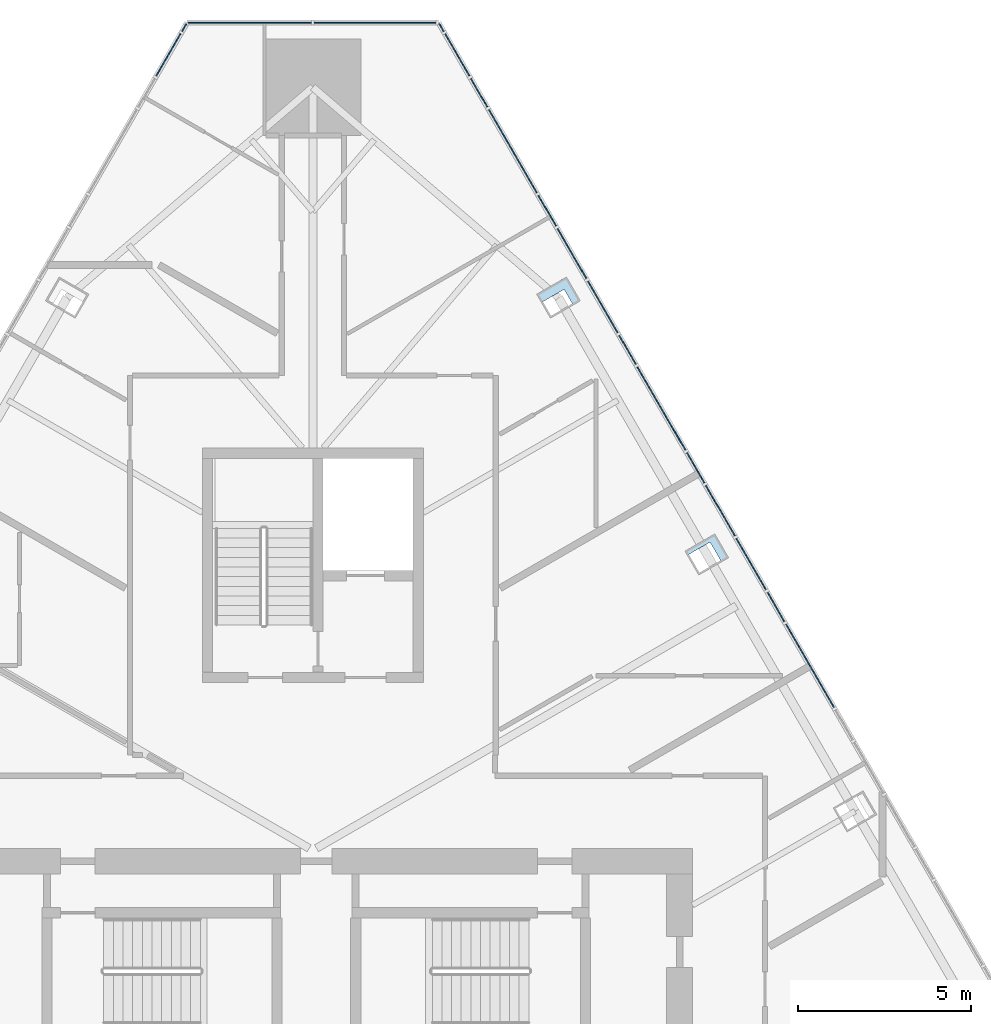
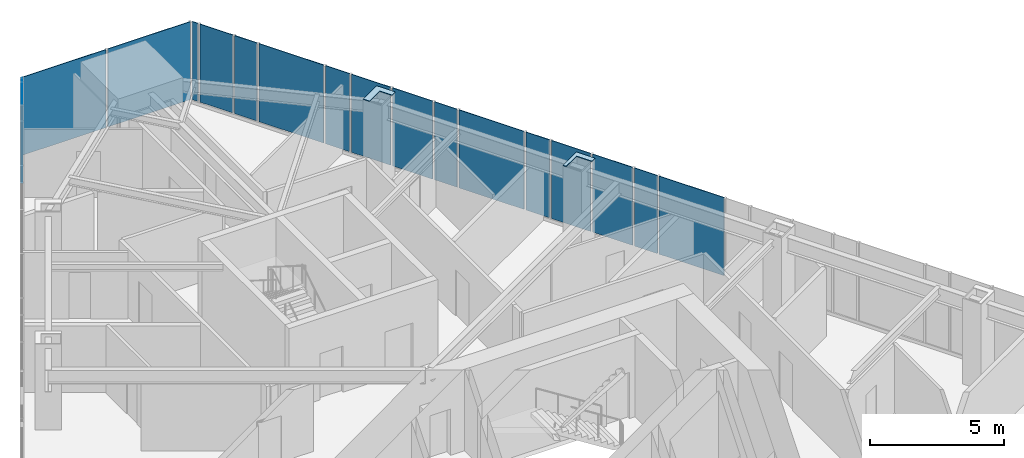
# One storey, part 17 of 24: 20 plates, 3 elements without a shape of their own.
"""IFC4 building model written with IfcOpenShell, lengths in metres."""

from ifc_helpers import new_model, si_unit, direction, frame, origin, place, context, subcontext, project, spatial, polyline, outline, extrude, material, layer, layer_set, type_object, element, aggregate, save


model = new_model("IFC4")

# Units and contexts
model_context = context("Model", 3, precision=1e-05, world=origin(), true_north=direction((0.0, 1.0)))
body_context = subcontext(model_context, "Body", "Model", "MODEL_VIEW")
ifc_project = project(units=[si_unit("LENGTHUNIT", "METRE"), si_unit("AREAUNIT", "SQUARE_METRE"), si_unit("VOLUMEUNIT", "CUBIC_METRE"), si_unit("PLANEANGLEUNIT", "RADIAN"), si_unit("MASSUNIT", "GRAM", prefix="KILO")], contexts=[model_context])

# Site, building, storey
site_placement = place(None, origin())
site = spatial("IfcSite", under=ifc_project, at=site_placement, CompositionType="ELEMENT")
building_placement = place(site_placement, origin())
building = spatial("IfcBuilding", under=site, at=building_placement, Name="Firuza Gate Tower and Library", CompositionType="ELEMENT")
storey_placement = place(building_placement, frame((0.0, 0.0, 206.5)))
storey = spatial("IfcBuildingStorey", under=building, at=storey_placement, Name="L48", CompositionType="ELEMENT", Elevation=206.5)

# Plates
ifc_material_1 = material(Name="Steel S355", Category="steel")
ifc_layer_1 = layer(ifc_material_1, 0.030029296875)
ifc_layer_set_1 = layer_set([ifc_layer_1], Name="Column infill plate 30 Steel S355")
plate_type_1 = type_object("IfcPlateType", Name="Column infill plate 30 Steel S355", PredefinedType="SHEET", material=ifc_layer_set_1)
placement_1 = place(storey_placement, frame((0.0, 0.0, 3.89990234375)))
element("IfcPlate", 1, at=placement_1, inside=storey, type_object=plate_type_1, Name="Infill plate L48:E4", PredefinedType="SHEET", context=body_context, shape_type="SweptSolid", body=[
    extrude(outline(polyline([(85.78125, 91.609619140625), (85.850341796875, 91.489990234375), (86.50927734375, 91.87060546875), (86.84033203125, 91.29736328125), (87.04736328125, 91.416748046875), (86.647216796875, 92.109619140625), (85.78125, 91.609619140625)])), origin(), (0.0, 0.0, 1.0), 0.030029296875),
])
element("IfcPlate", 2, at=placement_1, inside=storey, type_object=plate_type_1, Name="Infill plate L48:E5", PredefinedType="SHEET", context=body_context, shape_type="SweptSolid", body=[
    extrude(outline(polyline([(81.484375, 99.052001953125), (81.62255859375, 98.81298828125), (82.281494140625, 99.193359375), (82.54345703125, 98.73974609375), (82.75048828125, 98.859130859375), (82.350341796875, 99.552001953125), (81.484375, 99.052001953125)])), origin(), (0.0, 0.0, 1.0), 0.030029296875),
])

# Curtain wall, plates
ifc_material_2 = material(Name="Aluminium 6063-T6", Category="aluminium")
ifc_layer_2 = layer(ifc_material_2, 0.14990234375)
ifc_layer_set_2 = layer_set([ifc_layer_2], Name="Corner curtain wall, chamfers")
curtain_wall_type_1 = type_object("IfcCurtainWallType", Name="Corner curtain wall, chamfers", PredefinedType="NOTDEFINED", material=ifc_layer_set_2)
placement_2 = place(storey_placement, origin())
curtain_wall_1 = element("IfcCurtainWall", 3, at=placement_2, inside=storey, type_object=curtain_wall_type_1, Name="CW4 L48 N corner", PredefinedType="NOTDEFINED")
ifc_material_3 = material(Name="Fritted glass", Category="glass")
ifc_layer_3 = layer(ifc_material_3, 0.030029296875)
ifc_layer_set_3 = layer_set([ifc_layer_3], Name="Fritted glass unit, corners")
plate_type_2 = type_object("IfcPlateType", Name="Fritted glass unit, corners", PredefinedType="CURTAIN_PANEL", material=ifc_layer_set_3)
plate_3_placement = place(storey_placement, frame((78.603271484375, 106.93798828125, 0.14990234375), z_axis=(0.0, 1.0, 0.0), x_axis=(-1.0, 0.0, 0.0)))
plate_3 = element("IfcPlate", 4, at=plate_3_placement, type_object=plate_type_2, Name="Glass unit", PredefinedType="CURTAIN_PANEL", context=body_context, shape_type="SweptSolid", body=[
    extrude(outline(polyline([(0.0, 0.0), (3.563232421875, 0.0), (3.563232421875, 3.550048828125), (0.0, 3.550048828125), (0.0, 0.0)])), origin(), (0.0, 0.0, -1.0), 0.030029296875),
])
plate_4_placement = place(storey_placement, frame((74.9599609375, 106.93798828125, 0.14990234375), z_axis=(0.0, 1.0, 0.0), x_axis=(-1.0, 0.0, 0.0)))
plate_4 = element("IfcPlate", 5, at=plate_4_placement, type_object=plate_type_2, Name="Glass unit", PredefinedType="CURTAIN_PANEL", context=body_context, shape_type="SweptSolid", body=[
    extrude(outline(polyline([(0.0, 0.0), (3.563232421875, 0.0), (3.563232421875, 3.550048828125), (0.0, 3.550048828125), (0.0, 0.0)])), origin(), (0.0, 0.0, -1.0), 0.030029296875),
])
aggregate(curtain_wall_1, [plate_3, plate_4])

ifc_material_4 = material(Name="Aluminium 6063-T6", Category="aluminium")
ifc_layer_4 = layer(ifc_material_4, 0.14990234375)
ifc_layer_set_4 = layer_set([ifc_layer_4], Name="Unitised curtain wall, hotel")
curtain_wall_type_2 = type_object("IfcCurtainWallType", Name="Unitised curtain wall, hotel", PredefinedType="NOTDEFINED", material=ifc_layer_set_4)
curtain_wall_2 = element("IfcCurtainWall", 6, at=placement_2, inside=storey, type_object=curtain_wall_type_2, Name="CW2 L48 E face", PredefinedType="NOTDEFINED")
ifc_material_5 = material(Name="Fritted glass", Category="glass")
ifc_layer_5 = layer(ifc_material_5, 0.030029296875)
ifc_layer_set_5 = layer_set([ifc_layer_5], Name="Fritted glass unit, hotel")
plate_type_3 = type_object("IfcPlateType", Name="Fritted glass unit, hotel", PredefinedType="CURTAIN_PANEL", material=ifc_layer_set_5)
plate_5_placement = place(storey_placement, frame((88.14501953125, 90.495849609375, 0.14990234375), z_axis=(0.86597293925, 0.500090860232, 0.0), x_axis=(-0.500090860232, 0.86597293925, 0.0)))
plate_5 = element("IfcPlate", 7, at=plate_5_placement, type_object=plate_type_3, Name="Glass unit", PredefinedType="CURTAIN_PANEL", context=body_context, shape_type="SweptSolid", body=[
    extrude(outline(polyline([(0.0, 0.0), (1.7208786873771358, 0.0), (1.7208786873771358, 3.550048828125), (0.0, 3.550048828125), (0.0, 0.0)])), origin(), (0.0, 0.0, -1.0), 0.030029296875),
])
plate_6_placement = place(storey_placement, frame((87.244384765625, 92.055419921875, 0.14990234375), z_axis=(0.866041418028, 0.499972261491, 0.0), x_axis=(-0.499972261491, 0.866041418028, 0.0)))
plate_6 = element("IfcPlate", 8, at=plate_6_placement, type_object=plate_type_3, Name="Glass unit", PredefinedType="CURTAIN_PANEL", context=body_context, shape_type="SweptSolid", body=[
    extrude(outline(polyline([(0.0, 0.0), (1.6919883977219423, 0.0), (1.6919883977219423, 3.550048828125), (0.0, 3.550048828125), (0.0, 0.0)])), origin(), (0.0, 0.0, -1.0), 0.030029296875),
])
plate_7_placement = place(storey_placement, frame((83.84814453125, 97.938232421875, 0.14990234375), z_axis=(0.866000478986, 0.500043168532, 0.0), x_axis=(-0.500043168532, 0.866000478986, 0.0)))
plate_7 = element("IfcPlate", 9, at=plate_7_placement, type_object=plate_type_3, Name="Glass unit", PredefinedType="CURTAIN_PANEL", context=body_context, shape_type="SweptSolid", body=[
    extrude(outline(polyline([(0.0, 0.0), (1.7352017502742487, 0.0), (1.7352017502742487, 3.550048828125), (0.0, 3.550048828125), (0.0, 0.0)])), origin(), (0.0, 0.0, -1.0), 0.030029296875),
])
plate_8_placement = place(storey_placement, frame((82.9404296875, 99.51025390625, 0.14990234375), z_axis=(0.866013522419, 0.500020578564, 0.0), x_axis=(-0.500020578564, 0.866013522419, 0.0)))
plate_8 = element("IfcPlate", 10, at=plate_8_placement, type_object=plate_type_3, Name="Glass unit", PredefinedType="CURTAIN_PANEL", context=body_context, shape_type="SweptSolid", body=[
    extrude(outline(polyline([(0.0, 0.0), (1.6776653271145585, 0.0), (1.6776653271145585, 3.550048828125), (0.0, 3.550048828125), (0.0, 0.0)])), origin(), (0.0, 0.0, -1.0), 0.030029296875),
])
plate_9_placement = place(storey_placement, frame((79.55126953125, 105.380615234375, 0.14990234375), z_axis=(0.865967762352, 0.500099824602, 0.0), x_axis=(-0.500099824602, 0.865967762352, 0.0)))
plate_9 = element("IfcPlate", 11, at=plate_9_placement, type_object=plate_type_3, Name="Glass unit", PredefinedType="CURTAIN_PANEL", context=body_context, shape_type="SweptSolid", body=[
    extrude(outline(polyline([(0.0, 0.0), (1.418662077746343, 0.0), (1.418662077746343, 3.550048828125), (0.0, 3.550048828125), (0.0, 0.0)])), origin(), (0.0, 0.0, -1.0), 0.030029296875),
])

# Curtain wall, plate
curtain_wall_3 = element("IfcCurtainWall", 12, at=placement_2, inside=storey, type_object=curtain_wall_type_2, Name="CW2 L48 W face", PredefinedType="NOTDEFINED")
plate_10_placement = place(storey_placement, frame((71.158203125, 106.609130859375, 0.14990234375), z_axis=(-0.865967762352, 0.500099824602, 0.0), x_axis=(-0.500099824602, -0.865967762352, 0.0)))
plate_10 = element("IfcPlate", 13, at=plate_10_placement, type_object=plate_type_3, Name="Glass unit", PredefinedType="CURTAIN_PANEL", context=body_context, shape_type="SweptSolid", body=[
    extrude(outline(polyline([(0.0, 0.0), (1.418662077746343, 0.0), (1.418662077746343, 3.550048828125), (0.0, 3.550048828125), (0.0, 0.0)])), origin(), (0.0, 0.0, -1.0), 0.030029296875),
])

# Plate
ifc_material_6 = material(Name="Glazed ceramic tile")
ifc_layer_6 = layer(ifc_material_6, 0.030029296875)
ifc_layer_set_6 = layer_set([ifc_layer_6], Name="Opaque ceramic panel, hotel")
plate_type_4 = type_object("IfcPlateType", Name="Opaque ceramic panel, hotel", PredefinedType="CURTAIN_PANEL", material=ifc_layer_set_6)
plate_11_placement = place(storey_placement, frame((90.11376953125, 87.08544921875, 0.14990234375), z_axis=(0.866058787942, 0.499942172484, 0.0), x_axis=(-0.499942172484, 0.866058787942, 0.0)))
plate_11 = element("IfcPlate", 14, at=plate_11_placement, type_object=plate_type_4, Name="Opaque ceramic panel", PredefinedType="CURTAIN_PANEL", context=body_context, shape_type="SweptSolid", body=[
    extrude(outline(polyline([(0.0, 0.0), (2.789385106425062, 0.0), (2.789385106425062, 3.550048828125), (0.0, 3.550048828125), (0.0, 0.0)])), origin(), (0.0, 0.0, -1.0), 0.030029296875),
])

plate_12_placement = place(storey_placement, frame((88.67919921875, 89.5703125, 0.14990234375), z_axis=(0.866000531106, 0.500043078269, 0.0), x_axis=(-0.500043078269, 0.866000531106, 0.0)))
plate_12 = element("IfcPlate", 15, at=plate_12_placement, type_object=plate_type_4, Name="Opaque ceramic panel", PredefinedType="CURTAIN_PANEL", context=body_context, shape_type="SweptSolid", body=[
    extrude(outline(polyline([(0.0, 0.0), (0.9886843496294505, 0.0), (0.9886843496294505, 3.550048828125), (0.0, 3.550048828125), (0.0, 0.0)])), origin(), (0.0, 0.0, -1.0), 0.030029296875),
])

plate_13_placement = place(storey_placement, frame((86.3583984375, 93.590087890625, 0.14990234375), z_axis=(0.866093680549, 0.499881722523, 0.0), x_axis=(-0.499881722523, 0.866093680549, 0.0)))
plate_13 = element("IfcPlate", 16, at=plate_13_placement, type_object=plate_type_4, Name="Opaque ceramic panel", PredefinedType="CURTAIN_PANEL", context=body_context, shape_type="SweptSolid", body=[
    extrude(outline(polyline([(0.0, 0.0), (1.0173304983197862, 0.0), (1.0173304983197862, 3.550048828125), (0.0, 3.550048828125), (0.0, 0.0)])), origin(), (0.0, 0.0, -1.0), 0.030029296875),
])

plate_14_placement = place(storey_placement, frame((85.809814453125, 94.540283203125, 0.14990234375), z_axis=(0.866020890646, 0.500007816904, 0.0), x_axis=(-0.500007816904, 0.866020890646, 0.0)))
plate_14 = element("IfcPlate", 17, at=plate_14_placement, type_object=plate_type_4, Name="Opaque ceramic panel", PredefinedType="CURTAIN_PANEL", context=body_context, shape_type="SweptSolid", body=[
    extrude(outline(polyline([(0.0, 0.0), (2.789507170632926, 0.0), (2.789507170632926, 3.550048828125), (0.0, 3.550048828125), (0.0, 0.0)])), origin(), (0.0, 0.0, -1.0), 0.030029296875),
])

plate_15_placement = place(storey_placement, frame((84.375, 97.025390625, 0.14990234375), z_axis=(0.865997745606, 0.500047902311, 0.0), x_axis=(-0.500047902311, 0.865997745606, 0.0)))
plate_15 = element("IfcPlate", 18, at=plate_15_placement, type_object=plate_type_4, Name="Opaque ceramic panel", PredefinedType="CURTAIN_PANEL", context=body_context, shape_type="SweptSolid", body=[
    extrude(outline(polyline([(0.0, 0.0), (0.974027777387345, 0.0), (0.974027777387345, 3.550048828125), (0.0, 3.550048828125), (0.0, 0.0)])), origin(), (0.0, 0.0, -1.0), 0.030029296875),
])

plate_16_placement = place(storey_placement, frame((82.0615234375, 101.032470703125, 0.14990234375), z_axis=(0.866035853028, 0.499981900942, 0.0), x_axis=(-0.499981900942, 0.866035853028, 0.0)))
plate_16 = element("IfcPlate", 19, at=plate_16_placement, type_object=plate_type_4, Name="Opaque ceramic panel", PredefinedType="CURTAIN_PANEL", context=body_context, shape_type="SweptSolid", body=[
    extrude(outline(polyline([(0.0, 0.0), (1.031775629583486, 0.0), (1.031775629583486, 3.550048828125), (0.0, 3.550048828125), (0.0, 0.0)])), origin(), (0.0, 0.0, -1.0), 0.030029296875),
])

plate_17_placement = place(storey_placement, frame((81.505615234375, 101.995361328125, 0.14990234375), z_axis=(0.866036909293, 0.499980071345, 0.0), x_axis=(-0.499980071345, 0.866036909293, 0.0)))
plate_17 = element("IfcPlate", 20, at=plate_17_placement, type_object=plate_type_4, Name="Opaque ceramic panel", PredefinedType="CURTAIN_PANEL", context=body_context, shape_type="SweptSolid", body=[
    extrude(outline(polyline([(0.0, 0.0), (2.789173668961919, 0.0), (2.789173668961919, 3.550048828125), (0.0, 3.550048828125), (0.0, 0.0)])), origin(), (0.0, 0.0, -1.0), 0.030029296875),
])

plate_18_placement = place(storey_placement, frame((80.071044921875, 104.480224609375, 0.14990234375), z_axis=(0.865948320045, 0.500133489192, 0.0), x_axis=(-0.500133489192, 0.865948320045, 0.0)))
plate_18 = element("IfcPlate", 21, at=plate_18_placement, type_object=plate_type_4, Name="Opaque ceramic panel", PredefinedType="CURTAIN_PANEL", context=body_context, shape_type="SweptSolid", body=[
    extrude(outline(polyline([(0.0, 0.0), (0.9597047170860381, 0.0), (0.9597047170860381, 3.550048828125), (0.0, 3.550048828125), (0.0, 0.0)])), origin(), (0.0, 0.0, -1.0), 0.030029296875),
])

plate_19_placement = place(storey_placement, frame((78.802001953125, 106.678466796875, 0.14990234375), z_axis=(0.865780878536, 0.500423291185, 0.0), x_axis=(-0.500423291185, 0.865780878536, 0.0)))
plate_19 = element("IfcPlate", 22, at=plate_19_placement, type_object=plate_type_4, Name="Opaque ceramic panel", PredefinedType="CURTAIN_PANEL", context=body_context, shape_type="SweptSolid", body=[
    extrude(outline(polyline([(0.0, 0.0), (0.2512521381192305, 0.0), (0.2512521381192305, 3.550048828125), (0.0, 3.550048828125), (0.0, 0.0)])), origin(), (0.0, 0.0, -1.0), 0.030029296875),
])

aggregate(curtain_wall_2, [plate_11, plate_12, plate_5, plate_6, plate_13, plate_14, plate_15, plate_7, plate_8, plate_16, plate_17, plate_18, plate_9, plate_19])

plate_20_placement = place(storey_placement, frame((71.32373046875, 106.89599609375, 0.14990234375), z_axis=(-0.865780878536, 0.500423291185, 0.0), x_axis=(-0.500423291185, -0.865780878536, 0.0)))
plate_20 = element("IfcPlate", 23, at=plate_20_placement, type_object=plate_type_4, Name="Opaque ceramic panel", PredefinedType="CURTAIN_PANEL", context=body_context, shape_type="SweptSolid", body=[
    extrude(outline(polyline([(0.0, 0.0), (0.2512521381192305, 0.0), (0.2512521381192305, 3.550048828125), (0.0, 3.550048828125), (0.0, 0.0)])), origin(), (0.0, 0.0, -1.0), 0.030029296875),
])

aggregate(curtain_wall_3, [plate_20, plate_10])

save(model, "model.ifc")
